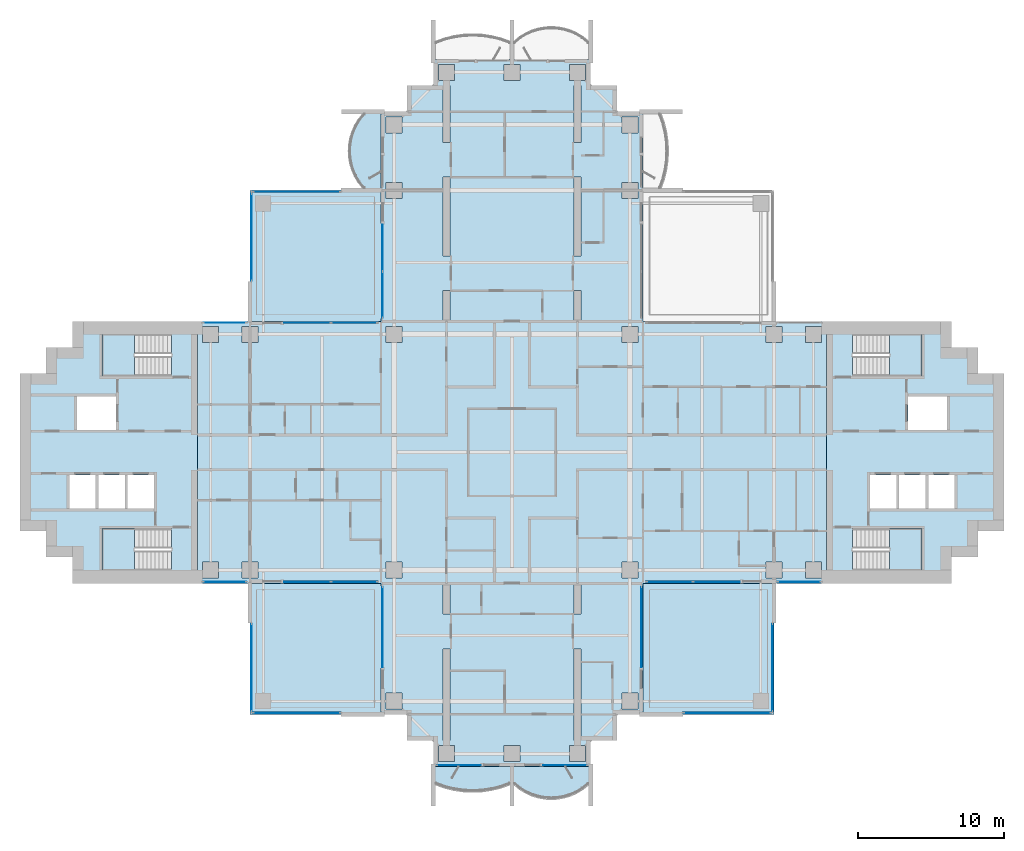
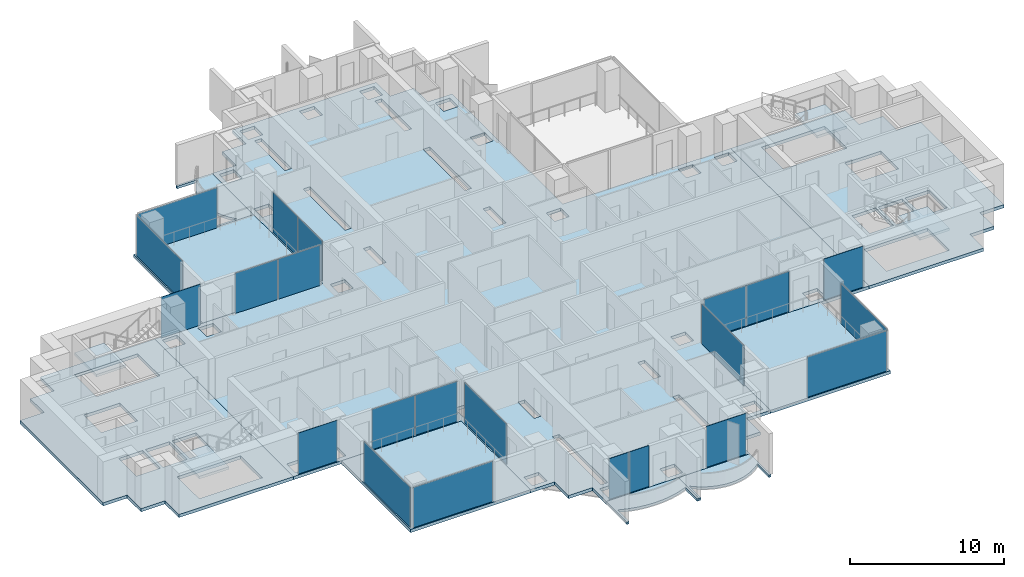
# One storey, part 7 of 19: 21 plates, 13 slabs, 21 elements without a shape of their own.
"""IFC4 building model written with IfcOpenShell, lengths in metres."""

from ifc_helpers import new_model, si_unit, direction, frame, origin, origin_2d, place, context, subcontext, project, spatial, polyline, rectangle, outline, extrude, material, layer, layer_set, type_object, element, aggregate, save


model = new_model("IFC4")

# Units and contexts
model_context = context("Model", 3, precision=1e-05, world=origin(), true_north=direction((0.0, 1.0)))
body_context = subcontext(model_context, "Body", "Model", "MODEL_VIEW")
ifc_project = project(units=[si_unit("LENGTHUNIT", "METRE"), si_unit("AREAUNIT", "SQUARE_METRE"), si_unit("VOLUMEUNIT", "CUBIC_METRE"), si_unit("PLANEANGLEUNIT", "RADIAN"), si_unit("MASSUNIT", "GRAM", prefix="KILO")], contexts=[model_context])

# Site, building, storey
site_placement = place(None, origin())
site = spatial("IfcSite", under=ifc_project, at=site_placement, CompositionType="ELEMENT")
building_placement = place(site_placement, origin())
building = spatial("IfcBuilding", under=site, at=building_placement, Name="Perihelion Cross Residences", CompositionType="ELEMENT")
storey_placement = place(building_placement, frame((0.0, 0.0, 112.89990234375)))
storey = spatial("IfcBuildingStorey", under=building, at=storey_placement, Name="L26", CompositionType="ELEMENT", Elevation=112.89990234375)

# Slabs
ifc_material_1 = material(Name="Concrete C40/50", Category="concrete")
ifc_layer_1 = layer(ifc_material_1, 0.199951171875)
ifc_layer_set_1 = layer_set([ifc_layer_1], Name="Balcony slab 200")
slab_type_1 = type_object("IfcSlabType", Name="Balcony slab 200", PredefinedType="FLOOR", material=ifc_layer_set_1)
slab_1_placement = place(storey_placement, frame((0.0, 0.0, -0.199951171875)))
element("IfcSlab", 1, at=slab_1_placement, inside=storey, type_object=slab_type_1, Name="Slab BK1 L26 north side west bay 1 balcony", PredefinedType="FLOOR", context=body_context, shape_type="SweptSolid", body=[
    extrude(outline(polyline([(-9.0, 23.39990234375), (-9.0, 18.0), (-11.699951171875, 18.0), (-11.699951171875, 18.14990234375), (-10.199951171875, 18.14990234375), (-10.5400390625, 18.574951171875), (-10.792724609375, 19.0), (-10.9765625, 19.425048828125), (-11.1025390625, 19.85009765625), (-11.17578125, 20.27490234375), (-11.199951171875, 20.699951171875), (-11.17578125, 21.125), (-11.1025390625, 21.550048828125), (-10.9765625, 21.97509765625), (-10.792724609375, 22.39990234375), (-10.5400390625, 22.824951171875), (-10.199951171875, 23.25), (-11.699951171875, 23.25), (-11.699951171875, 23.39990234375), (-9.0, 23.39990234375)])), origin(), (0.0, 0.0, 1.0), 0.199951171875),
])
slab_2_placement = place(storey_placement, frame((0.0, 0.0, -0.199951171875)))
element("IfcSlab", 2, at=slab_2_placement, inside=storey, type_object=slab_type_1, Name="Slab BK1 L26 south tip south bay 1 balcony", PredefinedType="FLOOR", context=body_context, shape_type="SweptSolid", body=[
    extrude(outline(polyline([(-5.39990234375, -21.60009765625), (0.0, -21.60009765625), (0.0, -24.300048828125), (-0.14990234375, -24.300048828125), (-0.14990234375, -22.800048828125), (-0.78759765625, -23.0234375), (-1.425048828125, -23.178466796875), (-2.0625, -23.269775390625), (-2.699951171875, -23.300048828125), (-3.33740234375, -23.269775390625), (-3.97509765625, -23.178466796875), (-4.612548828125, -23.0234375), (-5.25, -22.800048828125), (-5.25, -24.300048828125), (-5.39990234375, -24.300048828125), (-5.39990234375, -21.60009765625)])), origin(), (0.0, 0.0, 1.0), 0.199951171875),
])
slab_3_placement = place(storey_placement, frame((0.0, 0.0, -0.199951171875)))
element("IfcSlab", 3, at=slab_3_placement, inside=storey, type_object=slab_type_1, Name="Slab BK1 L26 south tip south bay 2 balcony", PredefinedType="FLOOR", context=body_context, shape_type="SweptSolid", body=[
    extrude(outline(polyline([(0.0, -21.60009765625), (5.39990234375, -21.60009765625), (5.39990234375, -24.300048828125), (5.25, -24.300048828125), (5.25, -22.800048828125), (4.824951171875, -23.14013671875), (4.39990234375, -23.392578125), (3.97509765625, -23.57666015625), (3.550048828125, -23.702392578125), (3.125, -23.77587890625), (2.699951171875, -23.800048828125), (2.27490234375, -23.77587890625), (1.85009765625, -23.702392578125), (1.425048828125, -23.57666015625), (1.0, -23.392578125), (0.574951171875, -23.14013671875), (0.14990234375, -22.800048828125), (0.14990234375, -24.300048828125), (0.0, -24.300048828125), (0.0, -21.60009765625)])), origin(), (0.0, 0.0, 1.0), 0.199951171875),
])

# Curtain wall, plates
ifc_material_2 = material(Name="Bronze anodised aluminium, tinted glazing", Category="aluminium")
curtain_wall_type_1 = type_object("IfcCurtainWallType", Name="CW1", PredefinedType="NOTDEFINED", material=ifc_material_2)
curtain_wall_1_placement = place(storey_placement, origin())
curtain_wall_1 = element("IfcCurtainWall", 4, at=curtain_wall_1_placement, inside=storey, type_object=curtain_wall_type_1, Name="Curtain wall CW1 L26 north side west bay 2", PredefinedType="NOTDEFINED")
ifc_material_3 = material(Name="Tinted laminated glass", Category="glass")
ifc_layer_2 = layer(ifc_material_3, 0.028076171875)
ifc_layer_set_2 = layer_set([ifc_layer_2], Name="CW1 panel")
plate_type_1 = type_object("IfcPlateType", Name="CW1 panel", PredefinedType="CURTAIN_PANEL", material=ifc_layer_set_2)
plate_1_placement = place(storey_placement, frame((-8.89990234375, 14.052490234375, 0.000244140625), z_axis=(0.0, 0.0, 1.0), x_axis=(0.0, -1.0, 0.0)))
plate_1 = element("IfcPlate", 5, at=plate_1_placement, type_object=plate_type_1, Name="CW1 panel 1", PredefinedType="CURTAIN_PANEL", context=body_context, shape_type="SweptSolid", body=[
    extrude(rectangle(XDim=3.195068359375, YDim=0.028076171875, at=origin_2d()), origin(), (0.0, 0.0, 1.0), 3.18994140625),
])
plate_2_placement = place(storey_placement, frame((-8.89990234375, 10.827392578125, 0.000244140625), z_axis=(0.0, 0.0, 1.0), x_axis=(0.0, -1.0, 0.0)))
plate_2 = element("IfcPlate", 6, at=plate_2_placement, type_object=plate_type_1, Name="CW1 panel 2", PredefinedType="CURTAIN_PANEL", context=body_context, shape_type="SweptSolid", body=[
    extrude(rectangle(XDim=3.135009765625, YDim=0.028076171875, at=origin_2d()), origin(), (0.0, 0.0, 1.0), 3.18994140625),
])
aggregate(curtain_wall_1, [plate_1, plate_2])

curtain_wall_2_placement = place(storey_placement, origin())
curtain_wall_2 = element("IfcCurtainWall", 7, at=curtain_wall_2_placement, inside=storey, type_object=curtain_wall_type_1, Name="Curtain wall CW1 L26 west side north bay 1", PredefinedType="NOTDEFINED")
plate_3_placement = place(storey_placement, frame((-10.827392578125, 8.89990234375, 0.000244140625), z_axis=(0.0, 0.0, 1.0), x_axis=(-1.0, 0.0, 0.0)))
plate_3 = element("IfcPlate", 8, at=plate_3_placement, type_object=plate_type_1, Name="CW1 panel 1", PredefinedType="CURTAIN_PANEL", context=body_context, shape_type="SweptSolid", body=[
    extrude(rectangle(XDim=3.135009765625, YDim=0.028076171875, at=origin_2d()), origin(), (0.0, 0.0, 1.0), 3.18994140625),
])
plate_4_placement = place(storey_placement, frame((-14.052490234375, 8.89990234375, 0.000244140625), z_axis=(0.0, 0.0, 1.0), x_axis=(-1.0, 0.0, 0.0)))
plate_4 = element("IfcPlate", 9, at=plate_4_placement, type_object=plate_type_1, Name="CW1 panel 2", PredefinedType="CURTAIN_PANEL", context=body_context, shape_type="SweptSolid", body=[
    extrude(rectangle(XDim=3.195068359375, YDim=0.028076171875, at=origin_2d()), origin(), (0.0, 0.0, 1.0), 3.18994140625),
])
aggregate(curtain_wall_2, [plate_3, plate_4])

# Curtain wall, plate
curtain_wall_3_placement = place(storey_placement, origin())
curtain_wall_3 = element("IfcCurtainWall", 10, at=curtain_wall_3_placement, inside=storey, type_object=curtain_wall_type_1, Name="Curtain wall CW1 L26 west side north bay 2", PredefinedType="NOTDEFINED")
plate_5_placement = place(storey_placement, frame((-19.72509765625, 8.89990234375, 0.0), z_axis=(0.0, 0.0, 1.0), x_axis=(-1.0, 0.0, 0.0)))
plate_5 = element("IfcPlate", 11, at=plate_5_placement, type_object=plate_type_1, Name="CW1 panel 1", PredefinedType="CURTAIN_PANEL", context=body_context, shape_type="SweptSolid", body=[
    extrude(rectangle(XDim=2.929931640625, YDim=0.028076171875, at=origin_2d()), origin(), (0.0, 0.0, 1.0), 3.25),
])
aggregate(curtain_wall_3, [plate_5])

curtain_wall_4_placement = place(storey_placement, origin())
curtain_wall_4 = element("IfcCurtainWall", 12, at=curtain_wall_4_placement, inside=storey, type_object=curtain_wall_type_1, Name="Curtain wall CW1 L26 west side south bay 1", PredefinedType="NOTDEFINED")
plate_6_placement = place(storey_placement, frame((-19.72509765625, -8.89990234375, 0.0), z_axis=(0.0, 0.0, 1.0), x_axis=(1.0, 0.0, 0.0)))
plate_6 = element("IfcPlate", 13, at=plate_6_placement, type_object=plate_type_1, Name="CW1 panel 1", PredefinedType="CURTAIN_PANEL", context=body_context, shape_type="SweptSolid", body=[
    extrude(rectangle(XDim=2.929931640625, YDim=0.028076171875, at=origin_2d()), origin(), (0.0, 0.0, 1.0), 3.25),
])
aggregate(curtain_wall_4, [plate_6])

# Curtain wall, plates
curtain_wall_5_placement = place(storey_placement, origin())
curtain_wall_5 = element("IfcCurtainWall", 14, at=curtain_wall_5_placement, inside=storey, type_object=curtain_wall_type_1, Name="Curtain wall CW1 L26 west side south bay 2", PredefinedType="NOTDEFINED")
plate_7_placement = place(storey_placement, frame((-14.052490234375, -8.89990234375, 0.000244140625), z_axis=(0.0, 0.0, 1.0), x_axis=(1.0, 0.0, 0.0)))
plate_7 = element("IfcPlate", 15, at=plate_7_placement, type_object=plate_type_1, Name="CW1 panel 1", PredefinedType="CURTAIN_PANEL", context=body_context, shape_type="SweptSolid", body=[
    extrude(rectangle(XDim=3.195068359375, YDim=0.028076171875, at=origin_2d()), origin(), (0.0, 0.0, 1.0), 3.18994140625),
])
plate_8_placement = place(storey_placement, frame((-10.827392578125, -8.89990234375, 0.000244140625), z_axis=(0.0, 0.0, 1.0), x_axis=(1.0, 0.0, 0.0)))
plate_8 = element("IfcPlate", 16, at=plate_8_placement, type_object=plate_type_1, Name="CW1 panel 2", PredefinedType="CURTAIN_PANEL", context=body_context, shape_type="SweptSolid", body=[
    extrude(rectangle(XDim=3.135009765625, YDim=0.028076171875, at=origin_2d()), origin(), (0.0, 0.0, 1.0), 3.18994140625),
])
aggregate(curtain_wall_5, [plate_7, plate_8])

# Curtain wall, plate
curtain_wall_6_placement = place(storey_placement, origin())
curtain_wall_6 = element("IfcCurtainWall", 17, at=curtain_wall_6_placement, inside=storey, type_object=curtain_wall_type_1, Name="Curtain wall CW1 L26 south side west bay 1", PredefinedType="NOTDEFINED")
plate_9_placement = place(storey_placement, frame((-8.89990234375, -12.0048828125, 0.000244140625), z_axis=(0.0, 0.0, 1.0), x_axis=(0.0, -1.0, 0.0)))
plate_9 = element("IfcPlate", 18, at=plate_9_placement, type_object=plate_type_1, Name="CW1 panel 1", PredefinedType="CURTAIN_PANEL", context=body_context, shape_type="SweptSolid", body=[
    extrude(rectangle(XDim=5.489990234375, YDim=0.028076171875, at=origin_2d()), origin(), (0.0, 0.0, 1.0), 3.18994140625),
])
aggregate(curtain_wall_6, [plate_9])

curtain_wall_7_placement = place(storey_placement, origin())
curtain_wall_7 = element("IfcCurtainWall", 19, at=curtain_wall_7_placement, inside=storey, type_object=curtain_wall_type_1, Name="Curtain wall CW1 L26 south tip south bay 1", PredefinedType="NOTDEFINED")
plate_10_placement = place(storey_placement, frame((-3.64501953125, -21.5, 0.0), z_axis=(0.0, 0.0, 1.0), x_axis=(1.0, 0.0, 0.0)))
plate_10 = element("IfcPlate", 20, at=plate_10_placement, type_object=plate_type_1, Name="CW1 panel 1", PredefinedType="CURTAIN_PANEL", context=body_context, shape_type="SweptSolid", body=[
    extrude(rectangle(XDim=2.989990234375, YDim=0.028076171875, at=origin_2d()), origin(), (0.0, 0.0, 1.0), 3.25),
])
aggregate(curtain_wall_7, [plate_10])

curtain_wall_8_placement = place(storey_placement, origin())
curtain_wall_8 = element("IfcCurtainWall", 21, at=curtain_wall_8_placement, inside=storey, type_object=curtain_wall_type_1, Name="Curtain wall CW1 L26 south tip south bay 2", PredefinedType="NOTDEFINED")
plate_11_placement = place(storey_placement, frame((3.64501953125, -21.5, 0.0), z_axis=(0.0, 0.0, 1.0), x_axis=(1.0, 0.0, 0.0)))
plate_11 = element("IfcPlate", 22, at=plate_11_placement, type_object=plate_type_1, Name="CW1 panel 1", PredefinedType="CURTAIN_PANEL", context=body_context, shape_type="SweptSolid", body=[
    extrude(rectangle(XDim=2.989990234375, YDim=0.028076171875, at=origin_2d()), origin(), (0.0, 0.0, 1.0), 3.25),
])
aggregate(curtain_wall_8, [plate_11])

curtain_wall_9_placement = place(storey_placement, origin())
curtain_wall_9 = element("IfcCurtainWall", 23, at=curtain_wall_9_placement, inside=storey, type_object=curtain_wall_type_1, Name="Curtain wall CW1 L26 south side east bay 1", PredefinedType="NOTDEFINED")
plate_12_placement = place(storey_placement, frame((8.89990234375, -12.0048828125, 0.000244140625), z_axis=(0.0, 0.0, 1.0), x_axis=(0.0, 1.0, 0.0)))
plate_12 = element("IfcPlate", 24, at=plate_12_placement, type_object=plate_type_1, Name="CW1 panel 1", PredefinedType="CURTAIN_PANEL", context=body_context, shape_type="SweptSolid", body=[
    extrude(rectangle(XDim=5.489990234375, YDim=0.028076171875, at=origin_2d()), origin(), (0.0, 0.0, 1.0), 3.18994140625),
])
aggregate(curtain_wall_9, [plate_12])

# Curtain wall, plates
curtain_wall_10_placement = place(storey_placement, origin())
curtain_wall_10 = element("IfcCurtainWall", 25, at=curtain_wall_10_placement, inside=storey, type_object=curtain_wall_type_1, Name="Curtain wall CW1 L26 east side south bay 1", PredefinedType="NOTDEFINED")
plate_13_placement = place(storey_placement, frame((10.827392578125, -8.89990234375, 0.000244140625), z_axis=(0.0, 0.0, 1.0), x_axis=(1.0, 0.0, 0.0)))
plate_13 = element("IfcPlate", 26, at=plate_13_placement, type_object=plate_type_1, Name="CW1 panel 1", PredefinedType="CURTAIN_PANEL", context=body_context, shape_type="SweptSolid", body=[
    extrude(rectangle(XDim=3.135009765625, YDim=0.028076171875, at=origin_2d()), origin(), (0.0, 0.0, 1.0), 3.18994140625),
])
plate_14_placement = place(storey_placement, frame((14.052490234375, -8.89990234375, 0.000244140625), z_axis=(0.0, 0.0, 1.0), x_axis=(1.0, 0.0, 0.0)))
plate_14 = element("IfcPlate", 27, at=plate_14_placement, type_object=plate_type_1, Name="CW1 panel 2", PredefinedType="CURTAIN_PANEL", context=body_context, shape_type="SweptSolid", body=[
    extrude(rectangle(XDim=3.195068359375, YDim=0.028076171875, at=origin_2d()), origin(), (0.0, 0.0, 1.0), 3.18994140625),
])
aggregate(curtain_wall_10, [plate_13, plate_14])

# Curtain wall, plate
curtain_wall_11_placement = place(storey_placement, origin())
curtain_wall_11 = element("IfcCurtainWall", 28, at=curtain_wall_11_placement, inside=storey, type_object=curtain_wall_type_1, Name="Curtain wall CW1 L26 east side south bay 2", PredefinedType="NOTDEFINED")
plate_15_placement = place(storey_placement, frame((19.72509765625, -8.89990234375, 0.0), z_axis=(0.0, 0.0, 1.0), x_axis=(1.0, 0.0, 0.0)))
plate_15 = element("IfcPlate", 29, at=plate_15_placement, type_object=plate_type_1, Name="CW1 panel 1", PredefinedType="CURTAIN_PANEL", context=body_context, shape_type="SweptSolid", body=[
    extrude(rectangle(XDim=2.929931640625, YDim=0.028076171875, at=origin_2d()), origin(), (0.0, 0.0, 1.0), 3.25),
])
aggregate(curtain_wall_11, [plate_15])

ifc_material_4 = material(Name="Bronze anodised aluminium, tinted glazing", Category="aluminium")
curtain_wall_type_2 = type_object("IfcCurtainWallType", Name="CW4", PredefinedType="NOTDEFINED", material=ifc_material_4)
curtain_wall_12_placement = place(storey_placement, origin())
curtain_wall_12 = element("IfcCurtainWall", 30, at=curtain_wall_12_placement, inside=storey, type_object=curtain_wall_type_2, Name="Curtain wall CW4 L26 pocket north-west 1 1", PredefinedType="NOTDEFINED")
ifc_material_5 = material(Name="Tinted laminated glass", Category="glass")
ifc_layer_3 = layer(ifc_material_5, 0.030029296875)
ifc_layer_set_3 = layer_set([ifc_layer_3], Name="CW4 panel")
plate_type_2 = type_object("IfcPlateType", Name="CW4 panel", PredefinedType="CURTAIN_PANEL", material=ifc_layer_set_3)
plate_16_placement = place(storey_placement, frame((-17.89990234375, 14.784912109375, 0.000244140625), z_axis=(0.0, 0.0, 1.0), x_axis=(0.0, 1.0, 0.0)))
plate_16 = element("IfcPlate", 31, at=plate_16_placement, type_object=plate_type_2, Name="CW4 panel 1", PredefinedType="CURTAIN_PANEL", context=body_context, shape_type="SweptSolid", body=[
    extrude(rectangle(XDim=5.969970703125, YDim=0.030029296875, at=origin_2d()), origin(), (0.0, 0.0, 1.0), 3.18994140625),
])
aggregate(curtain_wall_12, [plate_16])

curtain_wall_13_placement = place(storey_placement, origin())
curtain_wall_13 = element("IfcCurtainWall", 32, at=curtain_wall_13_placement, inside=storey, type_object=curtain_wall_type_2, Name="Curtain wall CW4 L26 pocket north-west 1 2", PredefinedType="NOTDEFINED")
plate_17_placement = place(storey_placement, frame((-14.784912109375, 17.89990234375, 0.000244140625), z_axis=(0.0, 0.0, 1.0), x_axis=(1.0, 0.0, 0.0)))
plate_17 = element("IfcPlate", 33, at=plate_17_placement, type_object=plate_type_2, Name="CW4 panel 1", PredefinedType="CURTAIN_PANEL", context=body_context, shape_type="SweptSolid", body=[
    extrude(rectangle(XDim=5.969970703125, YDim=0.030029296875, at=origin_2d()), origin(), (0.0, 0.0, 1.0), 3.18994140625),
])
aggregate(curtain_wall_13, [plate_17])

curtain_wall_14_placement = place(storey_placement, origin())
curtain_wall_14 = element("IfcCurtainWall", 34, at=curtain_wall_14_placement, inside=storey, type_object=curtain_wall_type_2, Name="Curtain wall CW4 L26 pocket south-east 1 1", PredefinedType="NOTDEFINED")
plate_18_placement = place(storey_placement, frame((17.89990234375, -14.784912109375, 0.000244140625), z_axis=(0.0, 0.0, 1.0), x_axis=(0.0, -1.0, 0.0)))
plate_18 = element("IfcPlate", 35, at=plate_18_placement, type_object=plate_type_2, Name="CW4 panel 1", PredefinedType="CURTAIN_PANEL", context=body_context, shape_type="SweptSolid", body=[
    extrude(rectangle(XDim=5.969970703125, YDim=0.030029296875, at=origin_2d()), origin(), (0.0, 0.0, 1.0), 3.18994140625),
])
aggregate(curtain_wall_14, [plate_18])

curtain_wall_15_placement = place(storey_placement, origin())
curtain_wall_15 = element("IfcCurtainWall", 36, at=curtain_wall_15_placement, inside=storey, type_object=curtain_wall_type_2, Name="Curtain wall CW4 L26 pocket south-east 1 2", PredefinedType="NOTDEFINED")
plate_19_placement = place(storey_placement, frame((14.784912109375, -17.89990234375, 0.000244140625), z_axis=(0.0, 0.0, 1.0), x_axis=(-1.0, 0.0, 0.0)))
plate_19 = element("IfcPlate", 37, at=plate_19_placement, type_object=plate_type_2, Name="CW4 panel 1", PredefinedType="CURTAIN_PANEL", context=body_context, shape_type="SweptSolid", body=[
    extrude(rectangle(XDim=5.969970703125, YDim=0.030029296875, at=origin_2d()), origin(), (0.0, 0.0, 1.0), 3.18994140625),
])
aggregate(curtain_wall_15, [plate_19])

curtain_wall_16_placement = place(storey_placement, origin())
curtain_wall_16 = element("IfcCurtainWall", 38, at=curtain_wall_16_placement, inside=storey, type_object=curtain_wall_type_2, Name="Curtain wall CW4 L26 pocket south-west 1 1", PredefinedType="NOTDEFINED")
plate_20_placement = place(storey_placement, frame((-14.784912109375, -17.89990234375, 0.000244140625), z_axis=(0.0, 0.0, 1.0), x_axis=(-1.0, 0.0, 0.0)))
plate_20 = element("IfcPlate", 39, at=plate_20_placement, type_object=plate_type_2, Name="CW4 panel 1", PredefinedType="CURTAIN_PANEL", context=body_context, shape_type="SweptSolid", body=[
    extrude(rectangle(XDim=5.969970703125, YDim=0.030029296875, at=origin_2d()), origin(), (0.0, 0.0, 1.0), 3.18994140625),
])
aggregate(curtain_wall_16, [plate_20])

curtain_wall_17_placement = place(storey_placement, origin())
curtain_wall_17 = element("IfcCurtainWall", 40, at=curtain_wall_17_placement, inside=storey, type_object=curtain_wall_type_2, Name="Curtain wall CW4 L26 pocket south-west 1 2", PredefinedType="NOTDEFINED")
plate_21_placement = place(storey_placement, frame((-17.89990234375, -14.784912109375, 0.000244140625), z_axis=(0.0, 0.0, 1.0), x_axis=(0.0, 1.0, 0.0)))
plate_21 = element("IfcPlate", 41, at=plate_21_placement, type_object=plate_type_2, Name="CW4 panel 1", PredefinedType="CURTAIN_PANEL", context=body_context, shape_type="SweptSolid", body=[
    extrude(rectangle(XDim=5.969970703125, YDim=0.030029296875, at=origin_2d()), origin(), (0.0, 0.0, 1.0), 3.18994140625),
])
aggregate(curtain_wall_17, [plate_21])

# Slabs
ifc_material_6 = material(Name="Concrete C40/50", Category="concrete")
ifc_layer_4 = layer(ifc_material_6, 0.25)
ifc_layer_set_4 = layer_set([ifc_layer_4], Name="Core floor slab 250")
slab_type_2 = type_object("IfcSlabType", Name="Core floor slab 250", PredefinedType="FLOOR", material=ifc_layer_set_4)
slab_4_placement = place(storey_placement, frame((0.0, 0.0, -0.25)))
element("IfcSlab", 42, at=slab_4_placement, inside=storey, type_object=slab_type_2, Name="East core floor slab", PredefinedType="FLOOR", context=body_context, shape_type="SweptSolid", body=[
    extrude(outline(polyline([(30.199951171875, 7.199951171875), (32.0, 7.199951171875), (32.0, 5.39990234375), (33.800048828125, 5.39990234375), (33.800048828125, -5.39990234375), (32.0, -5.39990234375), (32.0, -7.199951171875), (30.199951171875, -7.199951171875), (30.199951171875, -9.0), (21.60009765625, -9.0), (21.60009765625, 9.0), (30.199951171875, 9.0), (30.199951171875, 7.199951171875)]), holes=[polyline([(28.14990234375, -8.10009765625), (28.14990234375, -5.25), (23.405029296875, -5.25), (23.405029296875, -8.10009765625), (28.14990234375, -8.10009765625)]), polyline([(24.60009765625, -1.550048828125), (24.60009765625, -3.85009765625), (26.39990234375, -3.85009765625), (26.39990234375, -1.550048828125), (24.60009765625, -1.550048828125)]), polyline([(26.60009765625, -1.550048828125), (26.60009765625, -3.85009765625), (28.39990234375, -3.85009765625), (28.39990234375, -1.550048828125), (26.60009765625, -1.550048828125)]), polyline([(28.60009765625, -3.85009765625), (30.39990234375, -3.85009765625), (30.39990234375, -1.550048828125), (28.60009765625, -1.550048828125), (28.60009765625, -3.85009765625)]), polyline([(27.199951171875, 3.85009765625), (27.199951171875, 1.550048828125), (29.89990234375, 1.550048828125), (29.89990234375, 3.85009765625), (27.199951171875, 3.85009765625)]), polyline([(23.405029296875, 5.25), (28.14990234375, 5.25), (28.14990234375, 8.10009765625), (23.405029296875, 8.10009765625), (23.405029296875, 5.25)])]), origin(), (0.0, 0.0, 1.0), 0.25),
])
slab_5_placement = place(storey_placement, frame((0.0, 0.0, -0.25)))
element("IfcSlab", 43, at=slab_5_placement, inside=storey, type_object=slab_type_2, Name="West core floor slab", PredefinedType="FLOOR", context=body_context, shape_type="SweptSolid", body=[
    extrude(outline(polyline([(-30.199951171875, 7.199951171875), (-32.0, 7.199951171875), (-32.0, 5.39990234375), (-33.800048828125, 5.39990234375), (-33.800048828125, -5.39990234375), (-32.0, -5.39990234375), (-32.0, -7.199951171875), (-30.199951171875, -7.199951171875), (-30.199951171875, -9.0), (-21.60009765625, -9.0), (-21.60009765625, 9.0), (-30.199951171875, 9.0), (-30.199951171875, 7.199951171875)]), holes=[polyline([(-28.14990234375, -8.10009765625), (-28.14990234375, -5.25), (-23.405029296875, -5.25), (-23.405029296875, -8.10009765625), (-28.14990234375, -8.10009765625)]), polyline([(-24.60009765625, -1.550048828125), (-24.60009765625, -3.85009765625), (-26.39990234375, -3.85009765625), (-26.39990234375, -1.550048828125), (-24.60009765625, -1.550048828125)]), polyline([(-26.60009765625, -1.550048828125), (-26.60009765625, -3.85009765625), (-28.39990234375, -3.85009765625), (-28.39990234375, -1.550048828125), (-26.60009765625, -1.550048828125)]), polyline([(-28.60009765625, -3.85009765625), (-30.39990234375, -3.85009765625), (-30.39990234375, -1.550048828125), (-28.60009765625, -1.550048828125), (-28.60009765625, -3.85009765625)]), polyline([(-27.199951171875, 3.85009765625), (-27.199951171875, 1.550048828125), (-29.89990234375, 1.550048828125), (-29.89990234375, 3.85009765625), (-27.199951171875, 3.85009765625)]), polyline([(-23.405029296875, 5.25), (-28.14990234375, 5.25), (-28.14990234375, 8.10009765625), (-23.405029296875, 8.10009765625), (-23.405029296875, 5.25)])]), origin(), (0.0, 0.0, 1.0), 0.25),
])

# Stair, slab
ifc_material_7 = material(Name="Concrete C40/50", Category="concrete")
stair_type = type_object("IfcStairType", Name="Exit stair, half-turn", PredefinedType="HALF_TURN_STAIR", material=ifc_material_7)
stair_1_placement = place(storey_placement, origin())
stair_1 = element("IfcStair", 44, at=stair_1_placement, inside=storey, type_object=stair_type, Name="L26 East core exit stair 1", PredefinedType="HALF_TURN_STAIR")
ifc_material_8 = material(Name="Concrete C40/50", Category="concrete")
ifc_layer_5 = layer(ifc_material_8, 0.199951171875)
ifc_layer_set_5 = layer_set([ifc_layer_5], Name="Exit stair landing 200")
slab_type_3 = type_object("IfcSlabType", Name="Exit stair landing 200", PredefinedType="LANDING", material=ifc_layer_set_5)
slab_6_placement = place(storey_placement, frame((0.0, 0.0, 1.550048828125)))
slab_6 = element("IfcSlab", 45, at=slab_6_placement, type_object=slab_type_3, Name="ST-E1 landing 1", PredefinedType="LANDING", context=body_context, shape_type="SweptSolid", body=[
    extrude(outline(polyline([(25.919921875, 5.25), (28.14990234375, 5.25), (28.14990234375, 8.10009765625), (25.919921875, 8.10009765625), (25.919921875, 5.25)])), origin(), (0.0, 0.0, 1.0), 0.199951171875),
])
aggregate(stair_1, [slab_6])

stair_2_placement = place(storey_placement, origin())
stair_2 = element("IfcStair", 46, at=stair_2_placement, inside=storey, type_object=stair_type, Name="L26 East core exit stair 2", PredefinedType="HALF_TURN_STAIR")
slab_7_placement = place(storey_placement, frame((0.0, 0.0, 1.550048828125)))
slab_7 = element("IfcSlab", 47, at=slab_7_placement, type_object=slab_type_3, Name="ST-E2 landing 1", PredefinedType="LANDING", context=body_context, shape_type="SweptSolid", body=[
    extrude(outline(polyline([(25.919921875, -8.10009765625), (28.14990234375, -8.10009765625), (28.14990234375, -5.25), (25.919921875, -5.25), (25.919921875, -8.10009765625)])), origin(), (0.0, 0.0, 1.0), 0.199951171875),
])
aggregate(stair_2, [slab_7])

stair_3_placement = place(storey_placement, origin())
stair_3 = element("IfcStair", 48, at=stair_3_placement, inside=storey, type_object=stair_type, Name="L26 West core exit stair 1", PredefinedType="HALF_TURN_STAIR")
slab_8_placement = place(storey_placement, frame((0.0, 0.0, 1.550048828125)))
slab_8 = element("IfcSlab", 49, at=slab_8_placement, type_object=slab_type_3, Name="ST-W1 landing 1", PredefinedType="LANDING", context=body_context, shape_type="SweptSolid", body=[
    extrude(outline(polyline([(-25.919921875, 8.10009765625), (-28.14990234375, 8.10009765625), (-28.14990234375, 5.25), (-25.919921875, 5.25), (-25.919921875, 8.10009765625)])), origin(), (0.0, 0.0, 1.0), 0.199951171875),
])
aggregate(stair_3, [slab_8])

stair_4_placement = place(storey_placement, origin())
stair_4 = element("IfcStair", 50, at=stair_4_placement, inside=storey, type_object=stair_type, Name="L26 West core exit stair 2", PredefinedType="HALF_TURN_STAIR")
slab_9_placement = place(storey_placement, frame((0.0, 0.0, 1.550048828125)))
slab_9 = element("IfcSlab", 51, at=slab_9_placement, type_object=slab_type_3, Name="ST-W2 landing 1", PredefinedType="LANDING", context=body_context, shape_type="SweptSolid", body=[
    extrude(outline(polyline([(-25.919921875, -5.25), (-28.14990234375, -5.25), (-28.14990234375, -8.10009765625), (-25.919921875, -8.10009765625), (-25.919921875, -5.25)])), origin(), (0.0, 0.0, 1.0), 0.199951171875),
])
aggregate(stair_4, [slab_9])

# Slabs
ifc_material_9 = material(Name="Concrete C50/60", Category="concrete")
ifc_layer_6 = layer(ifc_material_9, 0.25)
ifc_layer_set_6 = layer_set([ifc_layer_6], Name="Residential floor post-tensioned slab concrete C50/60")
slab_type_4 = type_object("IfcSlabType", Name="Residential floor post-tensioned slab concrete C50/60", PredefinedType="FLOOR", material=ifc_layer_set_6)
slab_10_placement = place(storey_placement, frame((0.0, 0.0, -0.25)))
element("IfcSlab", 52, at=slab_10_placement, inside=storey, type_object=slab_type_4, Name="Slab SL8 L26 1 no. 1", PredefinedType="FLOOR", context=body_context, shape_type="SweptSolid", body=[
    extrude(outline(polyline([(-9.0, 9.0), (-9.0, 23.39990234375), (-7.199951171875, 23.39990234375), (-7.199951171875, 25.199951171875), (-5.39990234375, 25.199951171875), (-5.39990234375, 27.0), (5.39990234375, 27.0), (5.39990234375, 25.199951171875), (7.199951171875, 25.199951171875), (7.199951171875, 23.39990234375), (9.0, 23.39990234375), (9.0, 9.0), (21.60009765625, 9.0), (21.60009765625, -9.0), (9.0, -9.0), (9.0, -18.0), (7.199951171875, -18.0), (7.199951171875, -19.800048828125), (5.39990234375, -19.800048828125), (5.39990234375, -21.60009765625), (-5.39990234375, -21.60009765625), (-5.39990234375, -19.800048828125), (-7.199951171875, -19.800048828125), (-7.199951171875, -18.0), (-9.0, -18.0), (-9.0, -9.0), (-21.60009765625, -9.0), (-21.60009765625, 9.0), (-9.0, 9.0)]), holes=[polyline([(0.550048828125, -21.25), (0.550048828125, -20.14990234375), (-0.550048828125, -20.14990234375), (-0.550048828125, -21.25), (0.550048828125, -21.25)]), polyline([(-3.949951171875, -21.25), (-3.949951171875, -20.14990234375), (-5.050048828125, -20.14990234375), (-5.050048828125, -21.25), (-3.949951171875, -21.25)]), polyline([(-7.550048828125, -17.64990234375), (-7.550048828125, -16.550048828125), (-8.64990234375, -16.550048828125), (-8.64990234375, -17.64990234375), (-7.550048828125, -17.64990234375)]), polyline([(-4.25, -19.800048828125), (-4.25, -13.5), (-4.75, -13.5), (-4.75, -19.800048828125), (-4.25, -19.800048828125)]), polyline([(-4.25, -11.10009765625), (-4.25, -9.0), (-4.75, -9.0), (-4.75, -11.10009765625), (-4.25, -11.10009765625)]), polyline([(-20.14990234375, -8.64990234375), (-20.14990234375, -7.550048828125), (-21.25, -7.550048828125), (-21.25, -8.64990234375), (-20.14990234375, -8.64990234375)]), polyline([(-7.550048828125, -8.64990234375), (-7.550048828125, -7.550048828125), (-8.64990234375, -7.550048828125), (-8.64990234375, -8.64990234375), (-7.550048828125, -8.64990234375)]), polyline([(-18.550048828125, -8.64990234375), (-17.449951171875, -8.64990234375), (-17.449951171875, -7.550048828125), (-18.550048828125, -7.550048828125), (-18.550048828125, -8.64990234375)]), polyline([(-7.550048828125, 7.550048828125), (-7.550048828125, 8.64990234375), (-8.64990234375, 8.64990234375), (-8.64990234375, 7.550048828125), (-7.550048828125, 7.550048828125)]), polyline([(-17.449951171875, 7.550048828125), (-17.449951171875, 8.64990234375), (-18.550048828125, 8.64990234375), (-18.550048828125, 7.550048828125), (-17.449951171875, 7.550048828125)]), polyline([(-20.14990234375, 7.550048828125), (-20.14990234375, 8.64990234375), (-21.25, 8.64990234375), (-21.25, 7.550048828125), (-20.14990234375, 7.550048828125)]), polyline([(-4.25, 9.0), (-4.25, 11.10009765625), (-4.75, 11.10009765625), (-4.75, 9.0), (-4.25, 9.0)]), polyline([(-4.25, 13.5), (-4.25, 18.89990234375), (-4.75, 18.89990234375), (-4.75, 13.5), (-4.25, 13.5)]), polyline([(-7.550048828125, 17.449951171875), (-7.550048828125, 18.550048828125), (-8.64990234375, 18.550048828125), (-8.64990234375, 17.449951171875), (-7.550048828125, 17.449951171875)]), polyline([(-7.550048828125, 21.949951171875), (-7.550048828125, 23.050048828125), (-8.64990234375, 23.050048828125), (-8.64990234375, 21.949951171875), (-7.550048828125, 21.949951171875)]), polyline([(-4.75, 21.300048828125), (-4.25, 21.300048828125), (-4.25, 25.199951171875), (-4.75, 25.199951171875), (-4.75, 21.300048828125)]), polyline([(-5.050048828125, 25.550048828125), (-3.949951171875, 25.550048828125), (-3.949951171875, 26.64990234375), (-5.050048828125, 26.64990234375), (-5.050048828125, 25.550048828125)]), polyline([(5.050048828125, -21.25), (5.050048828125, -20.14990234375), (3.949951171875, -20.14990234375), (3.949951171875, -21.25), (5.050048828125, -21.25)]), polyline([(8.64990234375, -17.64990234375), (8.64990234375, -16.550048828125), (7.550048828125, -16.550048828125), (7.550048828125, -17.64990234375), (8.64990234375, -17.64990234375)]), polyline([(4.75, -19.800048828125), (4.75, -13.5), (4.25, -13.5), (4.25, -19.800048828125), (4.75, -19.800048828125)]), polyline([(4.75, -11.10009765625), (4.75, -9.0), (4.25, -9.0), (4.25, -11.10009765625), (4.75, -11.10009765625)]), polyline([(21.25, -8.64990234375), (21.25, -7.550048828125), (20.14990234375, -7.550048828125), (20.14990234375, -8.64990234375), (21.25, -8.64990234375)]), polyline([(18.550048828125, -8.64990234375), (18.550048828125, -7.550048828125), (17.449951171875, -7.550048828125), (17.449951171875, -8.64990234375), (18.550048828125, -8.64990234375)]), polyline([(8.64990234375, -8.64990234375), (8.64990234375, -7.550048828125), (7.550048828125, -7.550048828125), (7.550048828125, -8.64990234375), (8.64990234375, -8.64990234375)]), polyline([(7.550048828125, 7.550048828125), (8.64990234375, 7.550048828125), (8.64990234375, 8.64990234375), (7.550048828125, 8.64990234375), (7.550048828125, 7.550048828125)]), polyline([(18.550048828125, 7.550048828125), (18.550048828125, 8.64990234375), (17.449951171875, 8.64990234375), (17.449951171875, 7.550048828125), (18.550048828125, 7.550048828125)]), polyline([(21.25, 7.550048828125), (21.25, 8.64990234375), (20.14990234375, 8.64990234375), (20.14990234375, 7.550048828125), (21.25, 7.550048828125)]), polyline([(4.75, 9.0), (4.75, 11.10009765625), (4.25, 11.10009765625), (4.25, 9.0), (4.75, 9.0)]), polyline([(4.75, 13.5), (4.75, 18.89990234375), (4.25, 18.89990234375), (4.25, 13.5), (4.75, 13.5)]), polyline([(8.64990234375, 17.449951171875), (8.64990234375, 18.550048828125), (7.550048828125, 18.550048828125), (7.550048828125, 17.449951171875), (8.64990234375, 17.449951171875)]), polyline([(8.64990234375, 21.949951171875), (8.64990234375, 23.050048828125), (7.550048828125, 23.050048828125), (7.550048828125, 21.949951171875), (8.64990234375, 21.949951171875)]), polyline([(4.75, 21.300048828125), (4.75, 25.199951171875), (4.25, 25.199951171875), (4.25, 21.300048828125), (4.75, 21.300048828125)]), polyline([(3.949951171875, 25.550048828125), (5.050048828125, 25.550048828125), (5.050048828125, 26.64990234375), (3.949951171875, 26.64990234375), (3.949951171875, 25.550048828125)]), polyline([(-0.550048828125, 25.550048828125), (0.550048828125, 25.550048828125), (0.550048828125, 26.64990234375), (-0.550048828125, 26.64990234375), (-0.550048828125, 25.550048828125)])]), origin(), (0.0, 0.0, 1.0), 0.25),
])
ifc_material_10 = material(Name="Concrete C40/50", Category="concrete")
ifc_layer_7 = layer(ifc_material_10, 0.25)
ifc_layer_set_7 = layer_set([ifc_layer_7], Name="Winter garden slab")
slab_type_5 = type_object("IfcSlabType", Name="Winter garden slab", PredefinedType="FLOOR", material=ifc_layer_set_7)
slab_11_placement = place(storey_placement, frame((0.0, 0.0, -0.25)))
element("IfcSlab", 53, at=slab_11_placement, inside=storey, type_object=slab_type_5, Name="Slab BK3 L26 pocket north-west", PredefinedType="FLOOR", context=body_context, shape_type="SweptSolid", body=[
    extrude(outline(polyline([(-9.0, 9.0), (-9.0, 18.0), (-18.0, 18.0), (-18.0, 9.0), (-9.0, 9.0)])), origin(), (0.0, 0.0, 1.0), 0.25),
])
slab_12_placement = place(storey_placement, frame((0.0, 0.0, -0.25)))
element("IfcSlab", 54, at=slab_12_placement, inside=storey, type_object=slab_type_5, Name="Slab BK3 L26 pocket south-west", PredefinedType="FLOOR", context=body_context, shape_type="SweptSolid", body=[
    extrude(outline(polyline([(-9.0, -18.0), (-9.0, -9.0), (-18.0, -9.0), (-18.0, -18.0), (-9.0, -18.0)])), origin(), (0.0, 0.0, 1.0), 0.25),
])
slab_13_placement = place(storey_placement, frame((0.0, 0.0, -0.25)))
element("IfcSlab", 55, at=slab_13_placement, inside=storey, type_object=slab_type_5, Name="Slab BK3 L26 pocket south-east", PredefinedType="FLOOR", context=body_context, shape_type="SweptSolid", body=[
    extrude(outline(polyline([(18.0, -18.0), (18.0, -9.0), (9.0, -9.0), (9.0, -18.0), (18.0, -18.0)])), origin(), (0.0, 0.0, 1.0), 0.25),
])

save(model, "model.ifc")
